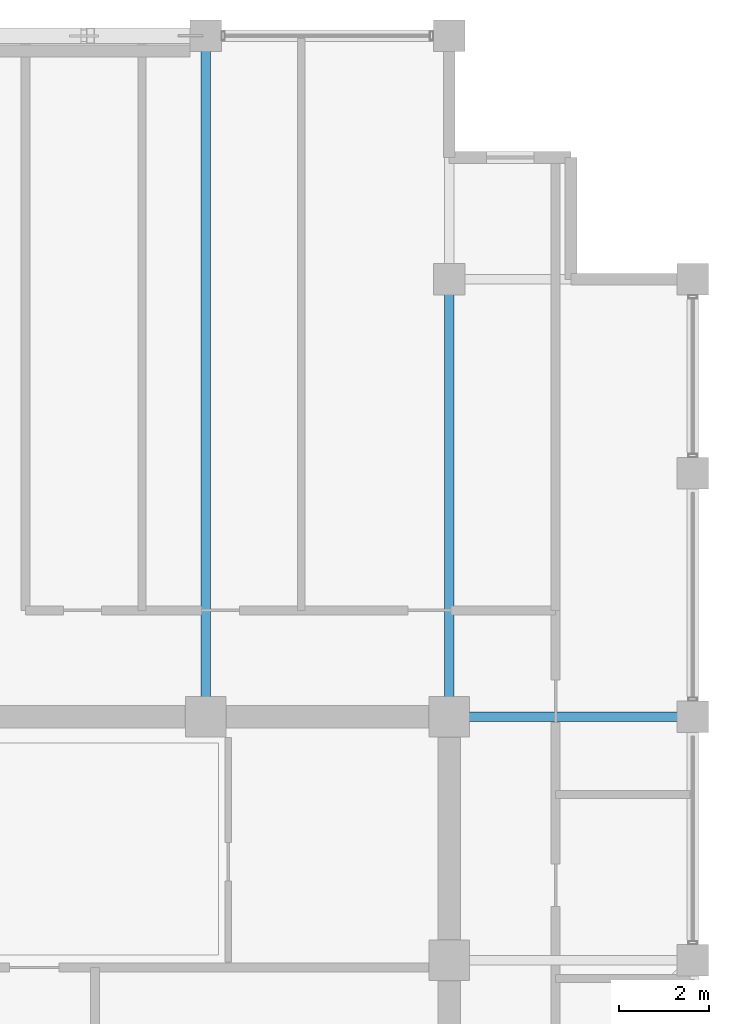
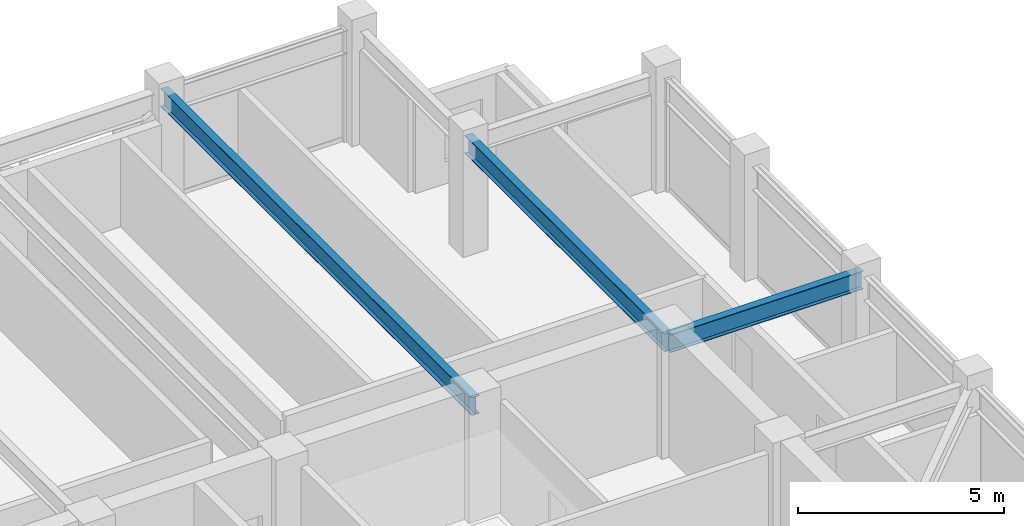
# One storey, part 20 of 31: 3 beams.
"""IFC4 building model written with IfcOpenShell, lengths in metres."""

from ifc_helpers import new_model, si_unit, direction, frame, origin, origin_2d, place, context, subcontext, project, spatial, i_section, extrude, material, material_profile, profile_set, type_object, element, save


model = new_model("IFC4")

# Units and contexts
model_context = context("Model", 3, precision=1e-05, world=origin(), true_north=direction((0.0, 1.0)))
body_context = subcontext(model_context, "Body", "Model", "MODEL_VIEW")
ifc_project = project(units=[si_unit("LENGTHUNIT", "METRE"), si_unit("AREAUNIT", "SQUARE_METRE"), si_unit("VOLUMEUNIT", "CUBIC_METRE"), si_unit("PLANEANGLEUNIT", "RADIAN"), si_unit("MASSUNIT", "GRAM", prefix="KILO")], contexts=[model_context])

# Site, building, storey
site_placement = place(None, origin())
site = spatial("IfcSite", under=ifc_project, at=site_placement, CompositionType="ELEMENT")
building_placement = place(site_placement, origin())
building = spatial("IfcBuilding", under=site, at=building_placement, Name="Surkhivell Harbour Commons", CompositionType="ELEMENT")
storey_placement = place(building_placement, frame((0.0, 0.0, 333.75)))
storey = spatial("IfcBuildingStorey", under=building, at=storey_placement, Name="L87", CompositionType="ELEMENT", Elevation=333.75)

# Beams
ifc_material = material(Name="Steel S355", Category="steel")
ifc_material_profile = material_profile(ifc_material, i_section(OverallWidth=0.2099609375, OverallDepth=0.537109375, WebThickness=0.0107421875, FlangeThickness=0.017333984375, at=origin_2d()), Name="UB533x210x101")
ifc_profile_set = profile_set([ifc_material_profile], Name="Steel S355")
beam_type = type_object("IfcBeamType", Name="BM-GRD-533B", PredefinedType="BEAM", material=ifc_profile_set)
beam_1_placement = place(storey_placement, frame((5.39990234375, 10.800048828125, 3.0615234375), z_axis=(0.0, 1.0, 0.0), x_axis=(-1.0, 0.0, 0.0)))
element("IfcBeam", 1, at=beam_1_placement, inside=storey, type_object=beam_type, Name="L87 Floor Girder (5.4,10.8)", PredefinedType="BEAM", context=body_context, shape_type="SweptSolid", body=[
    extrude(i_section(OverallWidth=0.2099609375, OverallDepth=0.537109375, WebThickness=0.0107421875, FlangeThickness=0.017333984375, at=origin_2d()), origin(), (0.0, 0.0, 1.0), 15.099853515625),
])
beam_2_placement = place(storey_placement, frame((10.800048828125, 10.800048828125, 3.0615234375), z_axis=(0.0, 1.0, 0.0), x_axis=(-1.0, 0.0, 0.0)))
element("IfcBeam", 2, at=beam_2_placement, inside=storey, type_object=beam_type, Name="L87 Floor Girder (10.8,10.8)", PredefinedType="BEAM", context=body_context, shape_type="SweptSolid", body=[
    extrude(i_section(OverallWidth=0.2099609375, OverallDepth=0.537109375, WebThickness=0.0107421875, FlangeThickness=0.017333984375, at=origin_2d()), origin(), (0.0, 0.0, 1.0), 9.699951171875),
])
beam_3_placement = place(storey_placement, frame((10.800048828125, 10.800048828125, 3.0615234375), z_axis=(1.0, 0.0, 0.0), x_axis=(0.0, 1.0, 0.0)))
element("IfcBeam", 3, at=beam_3_placement, inside=storey, type_object=beam_type, Name="L87 Floor Girder (10.8,10.8)", PredefinedType="BEAM", context=body_context, shape_type="SweptSolid", body=[
    extrude(i_section(OverallWidth=0.2099609375, OverallDepth=0.537109375, WebThickness=0.0107421875, FlangeThickness=0.017333984375, at=origin_2d()), origin(), (0.0, 0.0, 1.0), 5.39990234375),
])

save(model, "model.ifc")
